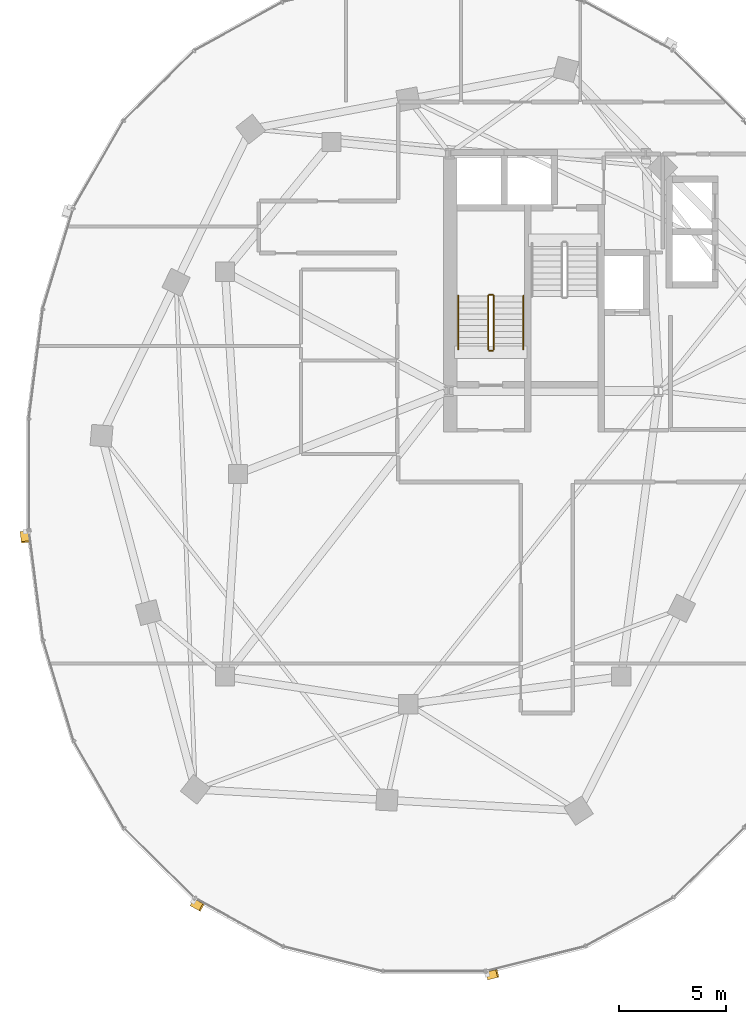
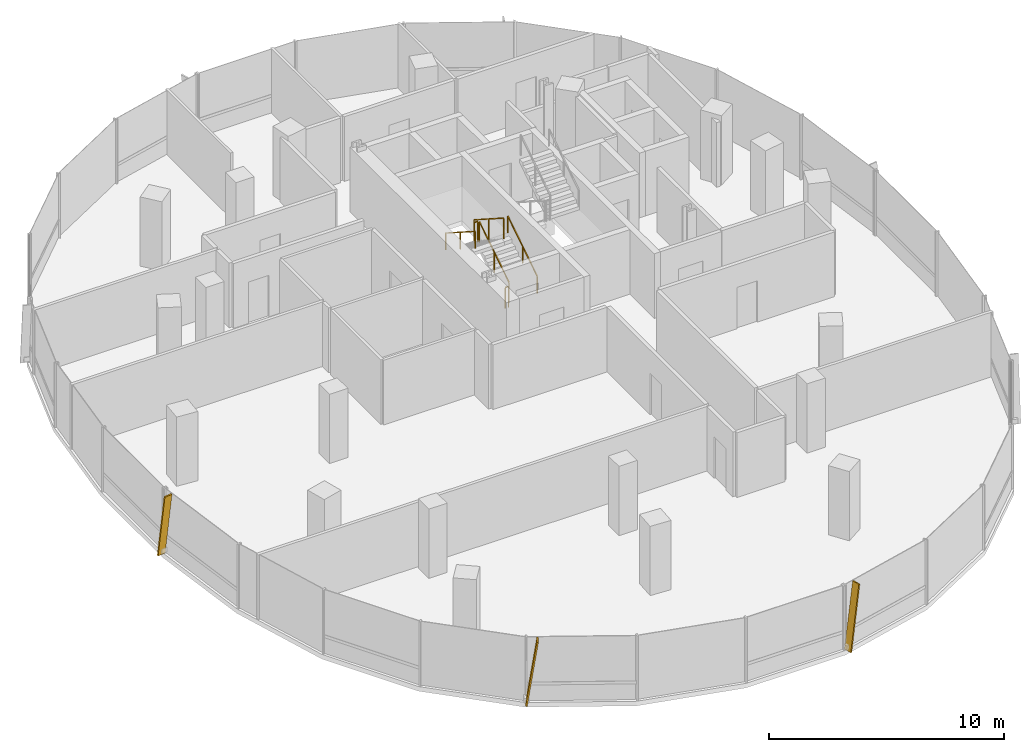
# One storey, part 18 of 22: 6 railings, 3 shading devices.
"""IFC4 building model written with IfcOpenShell, lengths in metres."""

from ifc_helpers import new_model, si_unit, direction, frame, origin, origin_2d, place, context, subcontext, project, spatial, rectangle, extrude, material, material_profile, profile_set, type_object, element, save


model = new_model("IFC4")

# Units and contexts
model_context = context("Model", 3, precision=1e-05, world=origin(), true_north=direction((0.0, 1.0)))
body_context = subcontext(model_context, "Body", "Model", "MODEL_VIEW")
ifc_project = project(units=[si_unit("LENGTHUNIT", "METRE"), si_unit("AREAUNIT", "SQUARE_METRE"), si_unit("VOLUMEUNIT", "CUBIC_METRE"), si_unit("PLANEANGLEUNIT", "RADIAN"), si_unit("MASSUNIT", "GRAM", prefix="KILO"), si_unit("THERMODYNAMICTEMPERATUREUNIT", "KELVIN"), si_unit("POWERUNIT", "WATT")], contexts=[model_context])

# Site, building, storey
site_placement = place(None, origin())
site = spatial("IfcSite", under=ifc_project, at=site_placement, CompositionType="ELEMENT")
building_placement = place(site_placement, origin())
building = spatial("IfcBuilding", under=site, at=building_placement, Name="Cundina Bronze Exchange", CompositionType="ELEMENT")
storey_placement = place(building_placement, frame((0.0, 0.0, 165.60009765625)))
storey = spatial("IfcBuildingStorey", under=building, at=storey_placement, Name="L43", CompositionType="ELEMENT", Elevation=165.60009765625)

# Railings
ifc_material_1 = material(Name="Steel ASTM A36 Painted", Category="steel")
railing_type_1 = type_object("IfcRailingType", Name="RLG-HND-900", PredefinedType="HANDRAIL", material=ifc_material_1)
railing_1_placement = place(storey_placement, frame((-27.7900390625, 5.85009765625, 0.179931640625)))
element("IfcRailing", 1, at=railing_1_placement, inside=storey, type_object=railing_type_1, Name="L43 ST-W1 stair handrail 1", PredefinedType="HANDRAIL", context=body_context, shape_type="SweptSolid", body=[
    extrude(rectangle(XDim=0.048095703125, YDim=0.048095703125, at=origin_2d()), frame((0.0, 0.0, 0.8759765625), z_axis=(0.0, 0.841199657755, 0.540724639528), x_axis=(-1.0, 0.0, 0.0)), (0.0, 0.0, 1.0), 2.995849609375),
    extrude(rectangle(XDim=0.0419921875, YDim=0.0419921875, at=origin_2d()), origin(), (0.0, 0.0, 1.0), 0.851806640625),
    extrude(rectangle(XDim=0.0419921875, YDim=0.0419921875, at=origin_2d()), frame((0.0, 1.260009765625, 0.81005859375)), (0.0, 0.0, 1.0), 0.851806640625),
    extrude(rectangle(XDim=0.0419921875, YDim=0.0419921875, at=origin_2d()), frame((0.0, 2.52001953125, 1.619873046875)), (0.0, 0.0, 1.0), 0.851806640625),
])
railing_2_placement = place(storey_placement, frame((-30.85009765625, 8.3701171875, 1.97998046875)))
element("IfcRailing", 2, at=railing_2_placement, inside=storey, type_object=railing_type_1, Name="L43 ST-W1 stair handrail 2", PredefinedType="HANDRAIL", context=body_context, shape_type="SweptSolid", body=[
    extrude(rectangle(XDim=0.048095703125, YDim=0.048095703125, at=origin_2d()), frame((0.0, 0.0, 0.8759765625), z_axis=(0.0, -0.841199657755, 0.540724639528), x_axis=(1.0, 0.0, 0.0)), (0.0, 0.0, 1.0), 2.995849609375),
    extrude(rectangle(XDim=0.0419921875, YDim=0.0419921875, at=origin_2d()), origin(), (0.0, 0.0, 1.0), 0.851806640625),
    extrude(rectangle(XDim=0.0419921875, YDim=0.0419921875, at=origin_2d()), frame((0.0, -1.260009765625, 0.81005859375)), (0.0, 0.0, 1.0), 0.851806640625),
    extrude(rectangle(XDim=0.0419921875, YDim=0.0419921875, at=origin_2d()), frame((0.0, -2.52001953125, 1.619873046875)), (0.0, 0.0, 1.0), 0.851806640625),
])
railing_type_2 = type_object("IfcRailingType", Name="RLG-STG-1100", PredefinedType="GUARDRAIL", material=ifc_material_1)
railing_3_placement = place(storey_placement, frame((-29.18994140625, 5.85009765625, 0.179931640625)))
element("IfcRailing", 3, at=railing_3_placement, inside=storey, type_object=railing_type_2, Name="L43 ST-W1 stair guard 1", PredefinedType="GUARDRAIL", context=body_context, shape_type="SweptSolid", body=[
    extrude(rectangle(XDim=0.048095703125, YDim=0.048095703125, at=origin_2d()), frame((0.0, 0.0, 1.076171875), z_axis=(0.0, 0.841199657755, 0.540724639528), x_axis=(-1.0, 0.0, 0.0)), (0.0, 0.0, 1.0), 2.995849609375),
    extrude(rectangle(XDim=0.0419921875, YDim=0.0419921875, at=origin_2d()), origin(), (0.0, 0.0, 1.0), 1.052001953125),
    extrude(rectangle(XDim=0.0419921875, YDim=0.0419921875, at=origin_2d()), frame((0.0, 1.260009765625, 0.81005859375)), (0.0, 0.0, 1.0), 1.052001953125),
    extrude(rectangle(XDim=0.0419921875, YDim=0.0419921875, at=origin_2d()), frame((0.0, 2.52001953125, 1.619873046875)), (0.0, 0.0, 1.0), 1.052001953125),
])
railing_4_placement = place(storey_placement, frame((-29.239990234375, 8.419921875, 1.7998046875)))
element("IfcRailing", 4, at=railing_4_placement, inside=storey, type_object=railing_type_2, Name="L43 ST-W1 stair guard 2", PredefinedType="GUARDRAIL", context=body_context, shape_type="SweptSolid", body=[
    extrude(rectangle(XDim=0.048095703125, YDim=0.048095703125, at=origin_2d()), frame((0.0, 0.0, 1.076171875), z_axis=(-1.0, 0.0, 0.0), x_axis=(0.0, -1.0, 0.0)), (0.0, 0.0, 1.0), 0.159912109375),
    extrude(rectangle(XDim=0.0419921875, YDim=0.0419921875, at=origin_2d()), origin(), (0.0, 0.0, 1.0), 1.052001953125),
    extrude(rectangle(XDim=0.0419921875, YDim=0.0419921875, at=origin_2d()), frame((-0.159912109375, 0.0, 0.0)), (0.0, 0.0, 1.0), 1.052001953125),
])
railing_5_placement = place(storey_placement, frame((-29.449951171875, 8.3701171875, 1.97998046875)))
element("IfcRailing", 5, at=railing_5_placement, inside=storey, type_object=railing_type_2, Name="L43 ST-W1 stair guard 3", PredefinedType="GUARDRAIL", context=body_context, shape_type="SweptSolid", body=[
    extrude(rectangle(XDim=0.048095703125, YDim=0.048095703125, at=origin_2d()), frame((0.0, 0.0, 1.076171875), z_axis=(0.0, -0.841199657755, 0.540724639528), x_axis=(1.0, 0.0, 0.0)), (0.0, 0.0, 1.0), 2.995849609375),
    extrude(rectangle(XDim=0.0419921875, YDim=0.0419921875, at=origin_2d()), origin(), (0.0, 0.0, 1.0), 1.052001953125),
    extrude(rectangle(XDim=0.0419921875, YDim=0.0419921875, at=origin_2d()), frame((0.0, -1.260009765625, 0.81005859375)), (0.0, 0.0, 1.0), 1.052001953125),
    extrude(rectangle(XDim=0.0419921875, YDim=0.0419921875, at=origin_2d()), frame((0.0, -2.52001953125, 1.619873046875)), (0.0, 0.0, 1.0), 1.052001953125),
])
railing_6_placement = place(storey_placement, frame((-29.239990234375, 5.800048828125, 0.0)))
element("IfcRailing", 6, at=railing_6_placement, inside=storey, type_object=railing_type_2, Name="L43 ST-W1 stair guard 4", PredefinedType="GUARDRAIL", context=body_context, shape_type="SweptSolid", body=[
    extrude(rectangle(XDim=0.048095703125, YDim=0.048095703125, at=origin_2d()), frame((0.0, 0.0, 1.076171875), z_axis=(-1.0, 0.0, 0.0), x_axis=(0.0, -1.0, 0.0)), (0.0, 0.0, 1.0), 0.159912109375),
    extrude(rectangle(XDim=0.0419921875, YDim=0.0419921875, at=origin_2d()), origin(), (0.0, 0.0, 1.0), 1.052001953125),
    extrude(rectangle(XDim=0.0419921875, YDim=0.0419921875, at=origin_2d()), frame((-0.159912109375, 0.0, 0.0)), (0.0, 0.0, 1.0), 1.052001953125),
])

# Shading devices
ifc_material_2 = material(Name="Anodised Bronze Aluminium 6063-T6", Category="aluminium")
ifc_material_profile = material_profile(ifc_material_2, rectangle(XDim=0.070068359375, YDim=0.3798828125, at=origin_2d()), Name="FIN70X380", Category="aluminium")
ifc_profile_set = profile_set([ifc_material_profile], Name="Anodised Bronze Aluminium 6063-T6")
shading_device_type = type_object("IfcShadingDeviceType", Name="SHD-FIN-BRZ380", PredefinedType="USERDEFINED", material=ifc_profile_set)
for number, where, z_axis, x_axis, name in (
    (7, (-51.23486328125, -2.705810546875, 0.02001953125), (0.018123110499, -0.141927973785, 0.989711070527), (-0.125360600332, 0.981739641151, 0.143080386066), "L43 Diagonal Bronze Solar Fin 1"),
    (8, (-43.320068359375, -20.11181640625, 0.02001953125), (0.125333488691, -0.068998924088, 0.989712415345), (-0.867010347902, 0.477308832643, 0.143071083426), "L43 Diagonal Bronze Solar Fin 5"),
    (9, (-29.48046875, -23.556396484375, 0.02001953125), (0.138798398751, 0.034717795597, 0.989711917263), (-0.960131970194, -0.240158861973, 0.143074528925), "L43 Diagonal Bronze Solar Fin 1"),
):
    element("IfcShadingDevice", number, at=place(storey_placement, frame(where, z_axis=z_axis, x_axis=x_axis)), inside=storey, type_object=shading_device_type, Name=name, ObjectType="FIN", PredefinedType="USERDEFINED", context=body_context, shape_type="SweptSolid", body=[
        extrude(rectangle(XDim=0.070068359375, YDim=0.3798828125, at=origin_2d()), origin(), (0.0, 0.0, 1.0), 3.354248046875),
    ])

save(model, "model.ifc")
